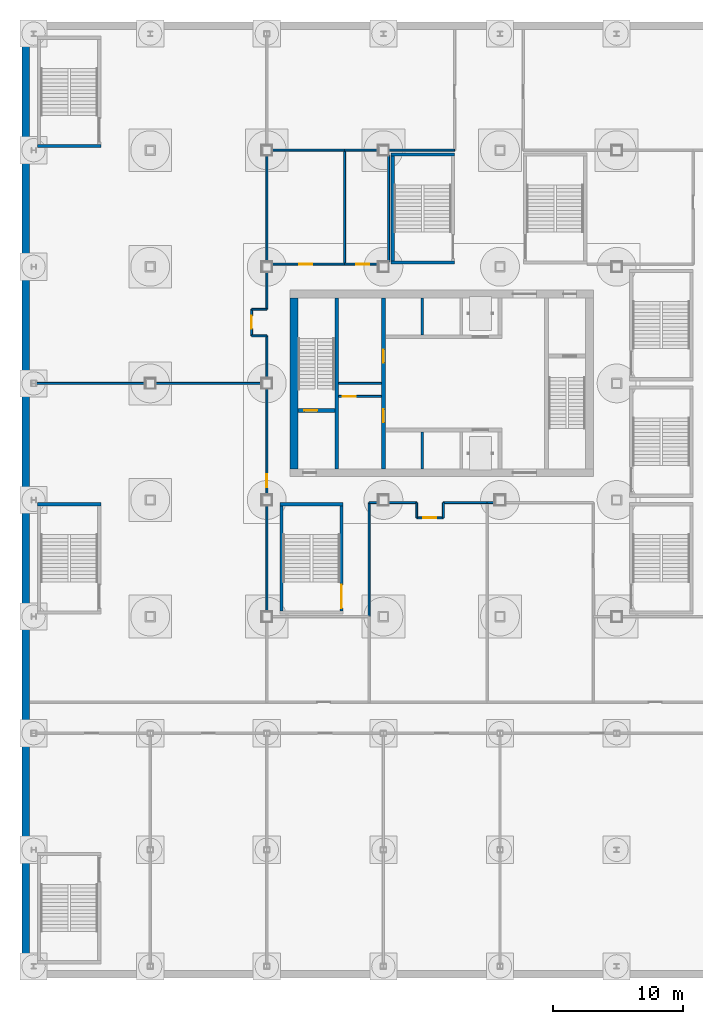
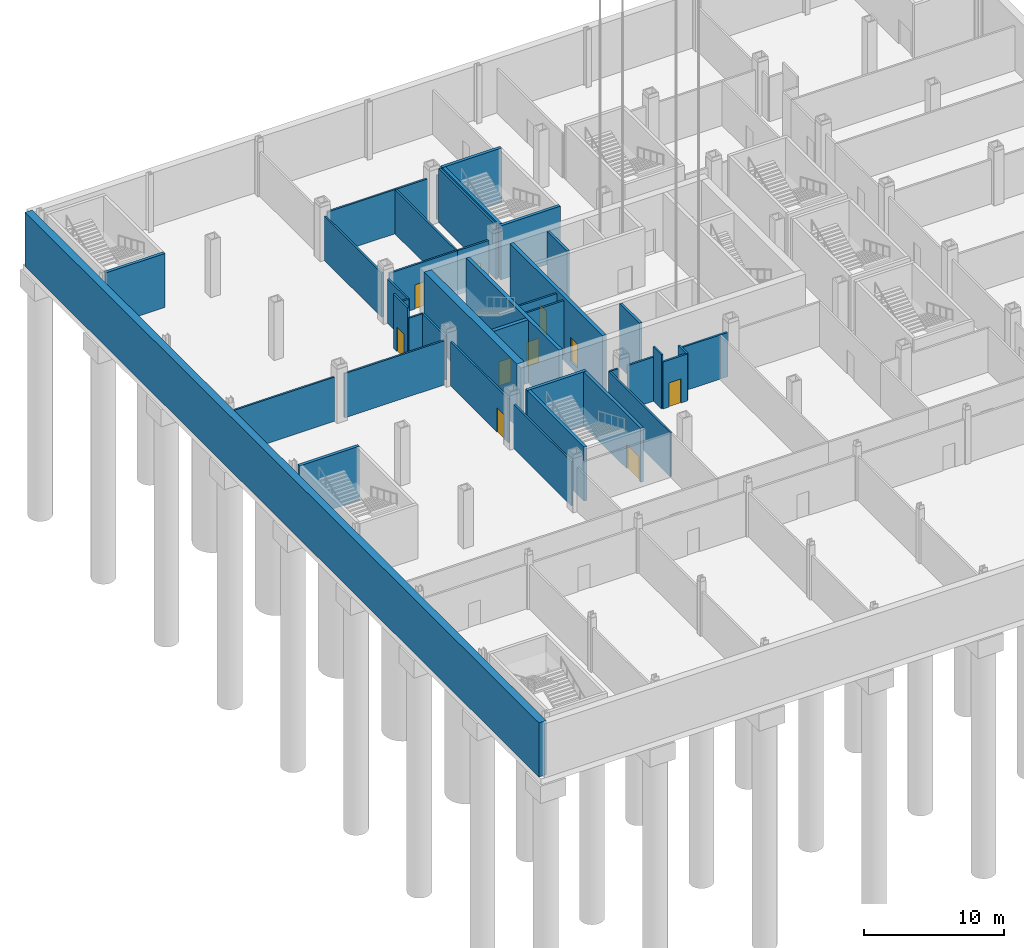
# One storey, part 9 of 28: 42 walls, 10 doors, 10 openings.
"""IFC4 building model written with IfcOpenShell, lengths in metres."""

from ifc_helpers import new_model, si_unit, direction, frame, frame_2d, origin, place, context, subcontext, project, spatial, rectangle, extrude, material, layer, layer_set, type_object, element, fill, save


model = new_model("IFC4")

# Units and contexts
model_context = context("Model", 3, precision=1e-05, world=origin(), true_north=direction((0.0, 1.0)))
body_context = subcontext(model_context, "Body", "Model", "MODEL_VIEW")
ifc_project = project(units=[si_unit("LENGTHUNIT", "METRE"), si_unit("AREAUNIT", "SQUARE_METRE"), si_unit("VOLUMEUNIT", "CUBIC_METRE"), si_unit("PLANEANGLEUNIT", "RADIAN"), si_unit("MASSUNIT", "GRAM", prefix="KILO")], contexts=[model_context])

# Site, building, storey
site_placement = place(None, origin())
site = spatial("IfcSite", under=ifc_project, at=site_placement, CompositionType="ELEMENT")
building_placement = place(site_placement, origin())
building = spatial("IfcBuilding", under=site, at=building_placement, Name="Loomwork Tower", CompositionType="ELEMENT")
storey_placement = place(building_placement, frame((0.0, 0.0, -10.5)))
storey = spatial("IfcBuildingStorey", under=building, at=storey_placement, Name="B2", CompositionType="ELEMENT", Elevation=-10.5)

# Walls
ifc_material_1 = material(Name="Concrete 6000 psi (41 MPa)", Category="concrete")
ifc_layer_1 = layer(ifc_material_1, 0.60009765625)
ifc_layer_set_1 = layer_set([ifc_layer_1], Name="Basement retaining wall 600")
wall_type_1 = type_object("IfcWallType", Name="Basement retaining wall 600", PredefinedType="SOLIDWALL", material=ifc_layer_set_1)
wall_1_placement = place(storey_placement, frame((-9.60009765625, 45.60009765625, 0.0), z_axis=(0.0, 0.0, 1.0), x_axis=(0.0, -1.0, 0.0)))
element("IfcWall", 1, at=wall_1_placement, inside=storey, type_object=wall_type_1, Name="Basement retaining wall W", PredefinedType="SOLIDWALL", context=body_context, shape_type="SweptSolid", body=[
    extrude(rectangle(XDim=73.2001953125, YDim=0.60009765625, at=frame_2d((36.60009765625, 0.0))), origin(), (0.0, 0.0, 1.0), 4.699951171875),
])
ifc_material_2 = material(Name="Concrete 14000 psi (97 MPa)", Category="concrete")
ifc_layer_2 = layer(ifc_material_2, 0.300048828125)
ifc_layer_set_2 = layer_set([ifc_layer_2], Name="Core shear wall 300")
wall_type_2 = type_object("IfcWallType", Name="Core shear wall 300", PredefinedType="SHEAR", material=ifc_layer_set_2)
wall_2_placement = place(storey_placement, frame((14.39990234375, 11.39990234375, -0.5), z_axis=(0.0, 0.0, 1.0), x_axis=(0.0, 1.0, 0.0)))
element("IfcWall", 2, at=wall_2_placement, inside=storey, type_object=wall_type_2, Name="Stair A east wall B2", PredefinedType="SHEAR", context=body_context, shape_type="SweptSolid", body=[
    extrude(rectangle(XDim=13.2001953125, YDim=0.300048828125, at=frame_2d((6.60009765625, 0.0))), origin(), (0.0, 0.0, 1.0), 5.5),
])

# Wall, opening, door
wall_3_placement = place(storey_placement, frame((11.39990234375, 15.89990234375, -0.5), z_axis=(0.0, 0.0, 1.0), x_axis=(1.0, 0.0, 0.0)))
wall_3 = element("IfcWall", 3, at=wall_3_placement, inside=storey, type_object=wall_type_2, Name="Stair A south wall B2", PredefinedType="SHEAR", context=body_context, shape_type="SweptSolid", body=[
    extrude(rectangle(XDim=2.85009765625, YDim=0.300048828125, at=frame_2d((1.425048828125, 0.0))), origin(), (0.0, 0.0, 1.0), 5.5),
])
opening_1_placement = place(wall_3_placement, frame((0.5, 0.0, 0.5)))
opening_1 = element("IfcOpeningElement", 4, at=opening_1_placement, cuts=wall_3, Name="Opening D4", PredefinedType="OPENING", context=body_context, shape_type="SweptSolid", body=[
    extrude(rectangle(XDim=1.0, YDim=2.10009765625, at=frame_2d((0.5, 1.050048828125))), frame((0.0, 0.159912109375, 0.0), z_axis=(0.0, -1.0, 0.0), x_axis=(1.0, 0.0, 0.0)), (0.0, 0.0, 1.0), 0.320068359375),
])
ifc_material_3 = material(Name="Hollow metal door and frame")
door_type_1 = type_object("IfcDoorType", Name="Stair door 1000", OperationType="SINGLE_SWING_RIGHT", PredefinedType="DOOR", material=ifc_material_3)
door_1_placement = place(opening_1_placement, origin())
door_1 = element("IfcDoor", 5, at=door_1_placement, inside=storey, type_object=door_type_1, Name="Stair A door", OperationType="SINGLE_SWING_LEFT", OverallHeight=2.10009765625, OverallWidth=1.0, PredefinedType="DOOR", context=body_context, shape_type="SweptSolid", body=[
    extrude(rectangle(XDim=1.0, YDim=2.10009765625, at=frame_2d((0.5, 1.050048828125))), frame((0.0, 0.02490234375, 0.0), z_axis=(0.0, -1.0, 0.0), x_axis=(1.0, 0.0, 0.0)), (0.0, 0.0, 1.0), 0.050048828125),
])
fill(opening_1, door_1)

# Wall, openings, doors
wall_4_placement = place(storey_placement, frame((18.0, 11.39990234375, -0.5), z_axis=(0.0, 0.0, 1.0), x_axis=(0.0, 1.0, 0.0)))
wall_4 = element("IfcWall", 6, at=wall_4_placement, inside=storey, type_object=wall_type_2, Name="Lobby west wall B2", PredefinedType="SHEAR", context=body_context, shape_type="SweptSolid", body=[
    extrude(rectangle(XDim=13.2001953125, YDim=0.300048828125, at=frame_2d((6.60009765625, 0.0))), origin(), (0.0, 0.0, 1.0), 5.5),
])
opening_2_placement = place(wall_4_placement, frame((3.60009765625, 0.0, 0.5)))
opening_2 = element("IfcOpeningElement", 7, at=opening_2_placement, cuts=wall_4, Name="Opening D5", PredefinedType="OPENING", context=body_context, shape_type="SweptSolid", body=[
    extrude(rectangle(XDim=1.0, YDim=2.10009765625, at=frame_2d((0.5, 1.050048828125))), frame((0.0, 0.159912109375, 0.0), z_axis=(0.0, -1.0, 0.0), x_axis=(1.0, 0.0, 0.0)), (0.0, 0.0, 1.0), 0.320068359375),
])
opening_3_placement = place(wall_4_placement, frame((8.199951171875, 0.0, 0.5)))
opening_3 = element("IfcOpeningElement", 8, at=opening_3_placement, cuts=wall_4, Name="Opening D5", PredefinedType="OPENING", context=body_context, shape_type="SweptSolid", body=[
    extrude(rectangle(XDim=1.0, YDim=2.10009765625, at=frame_2d((0.5, 1.050048828125))), frame((0.0, 0.159912109375, 0.0), z_axis=(0.0, -1.0, 0.0), x_axis=(1.0, 0.0, 0.0)), (0.0, 0.0, 1.0), 0.320068359375),
])
ifc_material_4 = material(Name="Hollow metal door and frame")
door_type_2 = type_object("IfcDoorType", Name="Service door 1000", OperationType="SINGLE_SWING_LEFT", PredefinedType="DOOR", material=ifc_material_4)
door_2_placement = place(opening_2_placement, origin())
door_2 = element("IfcDoor", 9, at=door_2_placement, inside=storey, type_object=door_type_2, Name="Back-of-house door south", OperationType="SINGLE_SWING_LEFT", OverallHeight=2.10009765625, OverallWidth=1.0, PredefinedType="DOOR", context=body_context, shape_type="SweptSolid", body=[
    extrude(rectangle(XDim=1.0, YDim=2.10009765625, at=frame_2d((0.5, 1.050048828125))), frame((0.0, 0.02490234375, 0.0), z_axis=(0.0, -1.0, 0.0), x_axis=(1.0, 0.0, 0.0)), (0.0, 0.0, 1.0), 0.050048828125),
])
fill(opening_2, door_2)
door_3_placement = place(opening_3_placement, origin())
door_3 = element("IfcDoor", 10, at=door_3_placement, inside=storey, type_object=door_type_2, Name="Back-of-house door north", OperationType="SINGLE_SWING_RIGHT", OverallHeight=2.10009765625, OverallWidth=1.0, PredefinedType="DOOR", context=body_context, shape_type="SweptSolid", body=[
    extrude(rectangle(XDim=1.0, YDim=2.10009765625, at=frame_2d((0.5, 1.050048828125))), frame((0.0, 0.02490234375, 0.0), z_axis=(0.0, -1.0, 0.0), x_axis=(1.0, 0.0, 0.0)), (0.0, 0.0, 1.0), 0.050048828125),
])
fill(opening_3, door_3)

# Walls
ifc_material_5 = material(Name="Concrete 14000 psi (97 MPa)", Category="concrete")
ifc_layer_3 = layer(ifc_material_5, 0.60009765625)
ifc_layer_set_3 = layer_set([ifc_layer_3], Name="Core shear wall 600")
wall_type_3 = type_object("IfcWallType", Name="Core shear wall 600", PredefinedType="SHEAR", material=ifc_layer_set_3)
wall_5_placement = place(storey_placement, frame((11.10009765625, 11.39990234375, -0.5), z_axis=(0.0, 0.0, 1.0), x_axis=(0.0, 1.0, 0.0)))
element("IfcWall", 11, at=wall_5_placement, inside=storey, type_object=wall_type_3, Name="Core wall west B2", PredefinedType="SHEAR", context=body_context, shape_type="SweptSolid", body=[
    extrude(rectangle(XDim=13.2001953125, YDim=0.60009765625, at=frame_2d((6.60009765625, 0.0))), origin(), (0.0, 0.0, 1.0), 5.5),
])
ifc_material_6 = material(Name="Concrete 14000 psi (97 MPa)", Category="concrete")
ifc_layer_4 = layer(ifc_material_6, 0.199951171875)
ifc_layer_set_4 = layer_set([ifc_layer_4], Name="Lift shaft wall 200")
wall_type_4 = type_object("IfcWallType", Name="Lift shaft wall 200", PredefinedType="SHEAR", material=ifc_layer_set_4)
for number, where, z_axis, x_axis, name in (
    (12, (21.0, 11.39990234375, -0.5), (0.0, 0.0, 1.0), (0.0, 1.0, 0.0), "Lift shaft separation wall south 1 B2"),
    (13, (21.0, 21.75, -0.5), (0.0, 0.0, 1.0), (0.0, 1.0, 0.0), "Lift shaft separation wall north 1 B2"),
):
    element("IfcWall", number, at=place(storey_placement, frame(where, z_axis=z_axis, x_axis=x_axis)), inside=storey, type_object=wall_type_4, Name=name, PredefinedType="SHEAR", context=body_context, shape_type="SweptSolid", body=[
        extrude(rectangle(XDim=2.85009765625, YDim=0.199951171875, at=frame_2d((1.425048828125, 0.0))), origin(), (0.0, 0.0, 1.0), 5.5),
    ])
ifc_material_7 = material(Name="Gypsum board on steel studs, one-hour", Category="steel")
ifc_layer_5 = layer(ifc_material_7, 0.14990234375)
ifc_layer_set_5 = layer_set([ifc_layer_5], Name="Partition 150")
wall_type_5 = type_object("IfcWallType", Name="Partition 150", PredefinedType="PARTITIONING", material=ifc_layer_set_5)
wall_6_placement = place(storey_placement, frame((-8.800537109375, 18.0, 0.0), z_axis=(0.0, 0.0, 1.0), x_axis=(1.0, 0.0, 0.0)))
element("IfcWall", 14, at=wall_6_placement, inside=storey, type_object=wall_type_5, Name="Partition B2 3.1", PredefinedType="PARTITIONING", context=body_context, shape_type="SweptSolid", body=[
    extrude(rectangle(XDim=8.400634765625, YDim=0.14990234375, at=frame_2d((4.2001953125, 0.0))), origin(), (0.0, 0.0, 1.0), 3.841552734375),
])
wall_7_placement = place(storey_placement, frame((0.39990234375, 18.0, 0.0), z_axis=(0.0, 0.0, 1.0), x_axis=(1.0, 0.0, 0.0)))
element("IfcWall", 15, at=wall_7_placement, inside=storey, type_object=wall_type_5, Name="Partition B2 3.2", PredefinedType="PARTITIONING", context=body_context, shape_type="SweptSolid", body=[
    extrude(rectangle(XDim=8.2001953125, YDim=0.14990234375, at=frame_2d((4.10009765625, 0.0))), origin(), (0.0, 0.0, 1.0), 3.841552734375),
])

# Wall, opening, door
wall_8_placement = place(storey_placement, frame((9.0, 17.60009765625, 0.0), z_axis=(0.0, 0.0, 1.0), x_axis=(0.0, -1.0, 0.0)))
wall_8 = element("IfcWall", 16, at=wall_8_placement, inside=storey, type_object=wall_type_5, Name="Partition B2 11.1", PredefinedType="PARTITIONING", context=body_context, shape_type="SweptSolid", body=[
    extrude(rectangle(XDim=8.2001953125, YDim=0.14990234375, at=frame_2d((4.10009765625, 0.0))), origin(), (0.0, 0.0, 1.0), 3.841552734375),
])
opening_4_placement = place(wall_8_placement, frame((6.60009765625, 0.0, 0.0)))
opening_4 = element("IfcOpeningElement", 17, at=opening_4_placement, cuts=wall_8, Name="Opening D15", PredefinedType="OPENING", context=body_context, shape_type="SweptSolid", body=[
    extrude(rectangle(XDim=1.0, YDim=2.10009765625, at=frame_2d((0.5, 1.050048828125))), frame((0.0, 0.0849609375, 0.0), z_axis=(0.0, -1.0, 0.0), x_axis=(1.0, 0.0, 0.0)), (0.0, 0.0, 1.0), 0.169921875),
])
ifc_material_8 = material(Name="Hollow metal door and frame")
door_type_3 = type_object("IfcDoorType", Name="Fire-rated room door 1000", OperationType="SINGLE_SWING_LEFT", PredefinedType="DOOR", material=ifc_material_8)
door_4_placement = place(opening_4_placement, frame((1.0, 0.0, 0.0), z_axis=(0.0, 0.0, 1.0), x_axis=(-1.0, 0.0, 0.0)))
door_4 = element("IfcDoor", 18, at=door_4_placement, inside=storey, type_object=door_type_3, Name="Hotel laundry door", OperationType="SINGLE_SWING_LEFT", OverallHeight=2.10009765625, OverallWidth=1.0, PredefinedType="DOOR", context=body_context, shape_type="SweptSolid", body=[
    extrude(rectangle(XDim=1.0, YDim=2.10009765625, at=frame_2d((0.5, 1.050048828125))), frame((0.0, 0.02490234375, 0.0), z_axis=(0.0, -1.0, 0.0), x_axis=(1.0, 0.0, 0.0)), (0.0, 0.0, 1.0), 0.050048828125),
])
fill(opening_4, door_4)

# Walls
wall_9_placement = place(storey_placement, frame((9.0, 8.60009765625, 0.0), z_axis=(0.0, 0.0, 1.0), x_axis=(0.0, -1.0, 0.0)))
element("IfcWall", 19, at=wall_9_placement, inside=storey, type_object=wall_type_5, Name="Partition B2 11.2", PredefinedType="PARTITIONING", context=body_context, shape_type="SweptSolid", body=[
    extrude(rectangle(XDim=8.2001953125, YDim=0.14990234375, at=frame_2d((4.10009765625, 0.0))), origin(), (0.0, 0.0, 1.0), 3.841552734375),
])
wall_10_placement = place(storey_placement, frame((9.0, 26.60009765625, 0.0), z_axis=(0.0, 0.0, 1.0), x_axis=(0.0, -1.0, 0.0)))
element("IfcWall", 20, at=wall_10_placement, inside=storey, type_object=wall_type_5, Name="Partition B2 12.1", PredefinedType="PARTITIONING", context=body_context, shape_type="SweptSolid", body=[
    extrude(rectangle(XDim=2.875, YDim=0.14990234375, at=frame_2d((1.4375, 0.0))), origin(), (0.0, 0.0, 1.0), 3.841552734375),
])

# Wall, opening, door
wall_11_placement = place(storey_placement, frame((15.0, 27.199951171875, 0.0), z_axis=(0.0, 0.0, 1.0), x_axis=(-1.0, 0.0, 0.0)))
wall_11 = element("IfcWall", 21, at=wall_11_placement, inside=storey, type_object=wall_type_5, Name="Partition B2 13.1", PredefinedType="PARTITIONING", context=body_context, shape_type="SweptSolid", body=[
    extrude(rectangle(XDim=5.60009765625, YDim=0.14990234375, at=frame_2d((2.800048828125, 0.0))), origin(), (0.0, 0.0, 1.0), 3.841552734375),
])
opening_5_placement = place(wall_11_placement, frame((2.5, 0.0, 0.0)))
opening_5 = element("IfcOpeningElement", 22, at=opening_5_placement, cuts=wall_11, Name="Opening D8", PredefinedType="OPENING", context=body_context, shape_type="SweptSolid", body=[
    extrude(rectangle(XDim=1.0, YDim=2.10009765625, at=frame_2d((0.5, 1.050048828125))), frame((0.0, 0.0849609375, 0.0), z_axis=(0.0, -1.0, 0.0), x_axis=(1.0, 0.0, 0.0)), (0.0, 0.0, 1.0), 0.169921875),
])
ifc_material_9 = material(Name="Hollow metal door and frame")
door_type_4 = type_object("IfcDoorType", Name="WC door 1000", OperationType="SINGLE_SWING_LEFT", PredefinedType="DOOR", material=ifc_material_9)
door_5_placement = place(opening_5_placement, frame((1.0, 0.0, 0.0), z_axis=(0.0, 0.0, 1.0), x_axis=(-1.0, 0.0, 0.0)))
door_5 = element("IfcDoor", 23, at=door_5_placement, inside=storey, type_object=door_type_4, Name="Staff WC door", OperationType="SINGLE_SWING_RIGHT", OverallHeight=2.10009765625, OverallWidth=1.0, PredefinedType="DOOR", context=body_context, shape_type="SweptSolid", body=[
    extrude(rectangle(XDim=1.0, YDim=2.10009765625, at=frame_2d((0.5, 1.050048828125))), frame((0.0, 0.02490234375, 0.0), z_axis=(0.0, -1.0, 0.0), x_axis=(1.0, 0.0, 0.0)), (0.0, 0.0, 1.0), 0.050048828125),
])
fill(opening_5, door_5)

# Walls
wall_12_placement = place(storey_placement, frame((9.0, 35.60009765625, 0.0), z_axis=(0.0, 0.0, 1.0), x_axis=(0.0, -1.0, 0.0)))
element("IfcWall", 24, at=wall_12_placement, inside=storey, type_object=wall_type_5, Name="Partition B2 14.1", PredefinedType="PARTITIONING", context=body_context, shape_type="SweptSolid", body=[
    extrude(rectangle(XDim=8.2001953125, YDim=0.14990234375, at=frame_2d((4.10009765625, 0.0))), origin(), (0.0, 0.0, 1.0), 3.841552734375),
])
wall_13_placement = place(storey_placement, frame((9.39990234375, 36.0, 0.0), z_axis=(0.0, 0.0, 1.0), x_axis=(1.0, 0.0, 0.0)))
element("IfcWall", 25, at=wall_13_placement, inside=storey, type_object=wall_type_5, Name="Partition B2 15.1", PredefinedType="PARTITIONING", context=body_context, shape_type="SweptSolid", body=[
    extrude(rectangle(XDim=5.60009765625, YDim=0.14990234375, at=frame_2d((2.800048828125, 0.0))), origin(), (0.0, 0.0, 1.0), 3.841552734375),
])

# Wall, opening, door
wall_14_placement = place(storey_placement, frame((17.60009765625, 27.199951171875, 0.0), z_axis=(0.0, 0.0, 1.0), x_axis=(-1.0, 0.0, 0.0)))
wall_14 = element("IfcWall", 26, at=wall_14_placement, inside=storey, type_object=wall_type_5, Name="Partition B2 17.1", PredefinedType="PARTITIONING", context=body_context, shape_type="SweptSolid", body=[
    extrude(rectangle(XDim=2.60009765625, YDim=0.14990234375, at=frame_2d((1.300048828125, 0.0))), origin(), (0.0, 0.0, 1.0), 3.841552734375),
])
opening_6_placement = place(wall_14_placement, frame((0.699951171875, 0.0, 0.0)))
opening_6 = element("IfcOpeningElement", 27, at=opening_6_placement, cuts=wall_14, Name="Opening D8", PredefinedType="OPENING", context=body_context, shape_type="SweptSolid", body=[
    extrude(rectangle(XDim=1.0, YDim=2.10009765625, at=frame_2d((0.5, 1.050048828125))), frame((0.0, 0.0849609375, 0.0), z_axis=(0.0, -1.0, 0.0), x_axis=(1.0, 0.0, 0.0)), (0.0, 0.0, 1.0), 0.169921875),
])
door_6_placement = place(opening_6_placement, frame((1.0, 0.0, 0.0), z_axis=(0.0, 0.0, 1.0), x_axis=(-1.0, 0.0, 0.0)))
door_6 = element("IfcDoor", 28, at=door_6_placement, inside=storey, type_object=door_type_4, Name="Accessible WC door", OperationType="SINGLE_SWING_LEFT", OverallHeight=2.10009765625, OverallWidth=1.0, PredefinedType="DOOR", context=body_context, shape_type="SweptSolid", body=[
    extrude(rectangle(XDim=1.0, YDim=2.10009765625, at=frame_2d((0.5, 1.050048828125))), frame((0.0, 0.02490234375, 0.0), z_axis=(0.0, -1.0, 0.0), x_axis=(1.0, 0.0, 0.0)), (0.0, 0.0, 1.0), 0.050048828125),
])
fill(opening_6, door_6)

# Walls
wall_15_placement = place(storey_placement, frame((15.0, 36.0, 0.0), z_axis=(0.0, 0.0, 1.0), x_axis=(0.0, -1.0, 0.0)))
element("IfcWall", 29, at=wall_15_placement, inside=storey, type_object=wall_type_5, Name="Partition B2 18.1", PredefinedType="PARTITIONING", context=body_context, shape_type="SweptSolid", body=[
    extrude(rectangle(XDim=8.800048828125, YDim=0.14990234375, at=frame_2d((4.39990234375, 0.0))), origin(), (0.0, 0.0, 1.0), 3.841064453125),
])
wall_16_placement = place(storey_placement, frame((15.0, 36.0, 0.0), z_axis=(0.0, 0.0, 1.0), x_axis=(1.0, 0.0, 0.0)))
element("IfcWall", 30, at=wall_16_placement, inside=storey, type_object=wall_type_5, Name="Partition B2 19.1", PredefinedType="PARTITIONING", context=body_context, shape_type="SweptSolid", body=[
    extrude(rectangle(XDim=2.60009765625, YDim=0.14990234375, at=frame_2d((1.300048828125, 0.0))), origin(), (0.0, 0.0, 1.0), 3.841552734375),
])
wall_17_placement = place(storey_placement, frame((16.89990234375, 0.0, 0.0), z_axis=(0.0, 0.0, 1.0), x_axis=(0.0, 1.0, 0.0)))
element("IfcWall", 31, at=wall_17_placement, inside=storey, type_object=wall_type_5, Name="Partition B2 22.1", PredefinedType="PARTITIONING", context=body_context, shape_type="SweptSolid", body=[
    extrude(rectangle(XDim=8.800048828125, YDim=0.14990234375, at=frame_2d((4.39990234375, 0.0))), origin(), (0.0, 0.0, 1.0), 3.841064453125),
])
wall_18_placement = place(storey_placement, frame((16.89990234375, 8.800048828125, 0.0), z_axis=(0.0, 0.0, 1.0), x_axis=(1.0, 0.0, 0.0)))
element("IfcWall", 32, at=wall_18_placement, inside=storey, type_object=wall_type_5, Name="Partition B2 23.1", PredefinedType="PARTITIONING", context=body_context, shape_type="SweptSolid", body=[
    extrude(rectangle(XDim=0.7001953125, YDim=0.14990234375, at=frame_2d((0.35009765625, 0.0))), origin(), (0.0, 0.0, 1.0), 3.841552734375),
])
wall_19_placement = place(storey_placement, frame((18.39990234375, 8.800048828125, 0.0), z_axis=(0.0, 0.0, 1.0), x_axis=(1.0, 0.0, 0.0)))
element("IfcWall", 33, at=wall_19_placement, inside=storey, type_object=wall_type_5, Name="Partition B2 23.2", PredefinedType="PARTITIONING", context=body_context, shape_type="SweptSolid", body=[
    extrude(rectangle(XDim=2.175048828125, YDim=0.14990234375, at=frame_2d((1.08740234375, 0.0))), origin(), (0.0, 0.0, 1.0), 3.841552734375),
])
wall_20_placement = place(storey_placement, frame((18.39990234375, 35.60009765625, 0.0), z_axis=(0.0, 0.0, 1.0), x_axis=(0.0, -1.0, 0.0)))
element("IfcWall", 34, at=wall_20_placement, inside=storey, type_object=wall_type_5, Name="Partition B2 26.1", PredefinedType="PARTITIONING", context=body_context, shape_type="SweptSolid", body=[
    extrude(rectangle(XDim=8.2001953125, YDim=0.14990234375, at=frame_2d((4.10009765625, 0.0))), origin(), (0.0, 0.0, 1.0), 4.699951171875),
])
wall_21_placement = place(storey_placement, frame((23.5, 36.0, 0.0), z_axis=(0.0, 0.0, 1.0), x_axis=(-1.0, 0.0, 0.0)))
element("IfcWall", 35, at=wall_21_placement, inside=storey, type_object=wall_type_5, Name="Partition B2 27.1", PredefinedType="PARTITIONING", context=body_context, shape_type="SweptSolid", body=[
    extrude(rectangle(XDim=5.10009765625, YDim=0.14990234375, at=frame_2d((2.550048828125, 0.0))), origin(), (0.0, 0.0, 1.0), 3.841552734375),
])
wall_22_placement = place(storey_placement, frame((26.0, 8.800048828125, 0.0), z_axis=(0.0, 0.0, 1.0), x_axis=(1.0, 0.0, 0.0)))
element("IfcWall", 36, at=wall_22_placement, inside=storey, type_object=wall_type_5, Name="Partition B2 31.1", PredefinedType="PARTITIONING", context=body_context, shape_type="SweptSolid", body=[
    extrude(rectangle(XDim=0.60009765625, YDim=0.14990234375, at=frame_2d((0.300048828125, 0.0))), origin(), (0.0, 0.0, 1.0), 3.841552734375),
])
wall_23_placement = place(storey_placement, frame((9.0, 21.675048828125, 0.0), z_axis=(0.0, 0.0, 1.0), x_axis=(0.0, -1.0, 0.0)))
element("IfcWall", 37, at=wall_23_placement, inside=storey, type_object=wall_type_5, Name="Partition B2 12.1", PredefinedType="PARTITIONING", context=body_context, shape_type="SweptSolid", body=[
    extrude(rectangle(XDim=3.275146484375, YDim=0.14990234375, at=frame_2d((1.6376953125, 0.0))), origin(), (0.0, 0.0, 1.0), 3.841552734375),
])
for number, where, z_axis, x_axis, name in (
    (38, (9.0, 23.72509765625, 0.0), (0.0, 0.0, 1.0), (-1.0, 0.0, 0.0), "Staff locker room alcove wall"),
    (39, (9.0, 21.675048828125, 0.0), (0.0, 0.0, 1.0), (-1.0, 0.0, 0.0), "Staff locker room alcove wall"),
):
    element("IfcWall", number, at=place(storey_placement, frame(where, z_axis=z_axis, x_axis=x_axis)), inside=storey, type_object=wall_type_5, Name=name, PredefinedType="PARTITIONING", context=body_context, shape_type="SweptSolid", body=[
        extrude(rectangle(XDim=1.175048828125, YDim=0.14990234375, at=frame_2d((0.58740234375, 0.0))), origin(), (0.0, 0.0, 1.0), 3.841064453125),
    ])

# Wall, opening, door
wall_24_placement = place(storey_placement, frame((7.824951171875, 23.72509765625, 0.0), z_axis=(0.0, 0.0, 1.0), x_axis=(0.0, -1.0, 0.0)))
wall_24 = element("IfcWall", 40, at=wall_24_placement, inside=storey, type_object=wall_type_5, Name="Staff locker room alcove wall", PredefinedType="PARTITIONING", context=body_context, shape_type="SweptSolid", body=[
    extrude(rectangle(XDim=2.050048828125, YDim=0.14990234375, at=frame_2d((1.02490234375, 0.0))), origin(), (0.0, 0.0, 1.0), 4.699951171875),
])
opening_7_placement = place(wall_24_placement, frame((0.5, 0.0, 0.0)))
opening_7 = element("IfcOpeningElement", 41, at=opening_7_placement, cuts=wall_24, Name="Opening D7", PredefinedType="OPENING", context=body_context, shape_type="SweptSolid", body=[
    extrude(rectangle(XDim=1.0, YDim=2.10009765625, at=frame_2d((0.5, 1.050048828125))), frame((0.0, 0.0849609375, 0.0), z_axis=(0.0, -1.0, 0.0), x_axis=(1.0, 0.0, 0.0)), (0.0, 0.0, 1.0), 0.169921875),
])
ifc_material_10 = material(Name="Hollow metal door and frame")
door_type_5 = type_object("IfcDoorType", Name="Room door 1000", OperationType="SINGLE_SWING_LEFT", PredefinedType="DOOR", material=ifc_material_10)
door_7_placement = place(opening_7_placement, origin())
door_7 = element("IfcDoor", 42, at=door_7_placement, inside=storey, type_object=door_type_5, Name="Staff locker room door", OperationType="SINGLE_SWING_LEFT", OverallHeight=2.10009765625, OverallWidth=1.0, PredefinedType="DOOR", context=body_context, shape_type="SweptSolid", body=[
    extrude(rectangle(XDim=1.0, YDim=2.10009765625, at=frame_2d((0.5, 1.050048828125))), frame((0.0, 0.02490234375, 0.0), z_axis=(0.0, -1.0, 0.0), x_axis=(1.0, 0.0, 0.0)), (0.0, 0.0, 1.0), 0.050048828125),
])
fill(opening_7, door_7)

# Walls
wall_25_placement = place(storey_placement, frame((22.625, 8.800048828125, 0.0), z_axis=(0.0, 0.0, 1.0), x_axis=(1.0, 0.0, 0.0)))
element("IfcWall", 43, at=wall_25_placement, inside=storey, type_object=wall_type_5, Name="Partition B2 23.2", PredefinedType="PARTITIONING", context=body_context, shape_type="SweptSolid", body=[
    extrude(rectangle(XDim=3.375, YDim=0.14990234375, at=frame_2d((1.6875, 0.0))), origin(), (0.0, 0.0, 1.0), 3.841552734375),
])
wall_26_placement = place(storey_placement, frame((20.574951171875, 8.800048828125, 0.0), z_axis=(0.0, 0.0, 1.0), x_axis=(0.0, -1.0, 0.0)))
element("IfcWall", 44, at=wall_26_placement, inside=storey, type_object=wall_type_5, Name="Staff canteen alcove wall", PredefinedType="PARTITIONING", context=body_context, shape_type="SweptSolid", body=[
    extrude(rectangle(XDim=1.175048828125, YDim=0.14990234375, at=frame_2d((0.58740234375, 0.0))), origin(), (0.0, 0.0, 1.0), 4.699951171875),
])
wall_27_placement = place(storey_placement, frame((22.625, 8.800048828125, 0.0), z_axis=(0.0, 0.0, 1.0), x_axis=(0.0, -1.0, 0.0)))
element("IfcWall", 45, at=wall_27_placement, inside=storey, type_object=wall_type_5, Name="Staff canteen alcove wall", PredefinedType="PARTITIONING", context=body_context, shape_type="SweptSolid", body=[
    extrude(rectangle(XDim=1.175048828125, YDim=0.14990234375, at=frame_2d((0.58740234375, 0.0))), origin(), (0.0, 0.0, 1.0), 4.087890625),
])

# Wall, opening, door
wall_28_placement = place(storey_placement, frame((20.574951171875, 7.625, 0.0), z_axis=(0.0, 0.0, 1.0), x_axis=(1.0, 0.0, 0.0)))
wall_28 = element("IfcWall", 46, at=wall_28_placement, inside=storey, type_object=wall_type_5, Name="Staff canteen alcove wall", PredefinedType="PARTITIONING", context=body_context, shape_type="SweptSolid", body=[
    extrude(rectangle(XDim=2.050048828125, YDim=0.14990234375, at=frame_2d((1.02490234375, 0.0))), origin(), (0.0, 0.0, 1.0), 4.0869140625),
])
opening_8_placement = place(wall_28_placement, frame((0.5, 0.0, 0.0)))
opening_8 = element("IfcOpeningElement", 47, at=opening_8_placement, cuts=wall_28, Name="Opening D7", PredefinedType="OPENING", context=body_context, shape_type="SweptSolid", body=[
    extrude(rectangle(XDim=1.0, YDim=2.10009765625, at=frame_2d((0.5, 1.050048828125))), frame((0.0, 0.0849609375, 0.0), z_axis=(0.0, -1.0, 0.0), x_axis=(1.0, 0.0, 0.0)), (0.0, 0.0, 1.0), 0.169921875),
])
door_8_placement = place(opening_8_placement, origin())
door_8 = element("IfcDoor", 48, at=door_8_placement, inside=storey, type_object=door_type_5, Name="Staff canteen door", OperationType="SINGLE_SWING_LEFT", OverallHeight=2.10009765625, OverallWidth=1.0, PredefinedType="DOOR", context=body_context, shape_type="SweptSolid", body=[
    extrude(rectangle(XDim=1.0, YDim=2.10009765625, at=frame_2d((0.5, 1.050048828125))), frame((0.0, 0.02490234375, 0.0), z_axis=(0.0, -1.0, 0.0), x_axis=(1.0, 0.0, 0.0)), (0.0, 0.0, 1.0), 0.050048828125),
])
fill(opening_8, door_8)

# Wall
ifc_material_11 = material(Name="Gypsum board on steel studs", Category="steel")
ifc_layer_6 = layer(ifc_material_11, 0.14990234375)
ifc_layer_set_6 = layer_set([ifc_layer_6], Name="Partition 150 two-hour")
wall_type_6 = type_object("IfcWallType", Name="Partition 150 two-hour", PredefinedType="PARTITIONING", material=ifc_layer_set_6)
wall_29_placement = place(storey_placement, frame((14.550048828125, 18.0, 0.0), z_axis=(0.0, 0.0, 1.0), x_axis=(1.0, 0.0, 0.0)))
element("IfcWall", 49, at=wall_29_placement, inside=storey, type_object=wall_type_6, Name="Back-of-house dividing wall B2", PredefinedType="PARTITIONING", context=body_context, shape_type="SweptSolid", body=[
    extrude(rectangle(XDim=3.300048828125, YDim=0.14990234375, at=frame_2d((1.64990234375, 0.0))), origin(), (0.0, 0.0, 1.0), 4.699951171875),
])

# Wall, opening, door
ifc_material_12 = material(Name="Gypsum board on steel studs, one-hour", Category="steel")
ifc_layer_7 = layer(ifc_material_12, 0.14990234375)
ifc_layer_set_7 = layer_set([ifc_layer_7], Name="Service partition 150")
wall_type_7 = type_object("IfcWallType", Name="Service partition 150", PredefinedType="PARTITIONING", material=ifc_layer_set_7)
wall_30_placement = place(storey_placement, frame((14.550048828125, 17.0, 0.0), z_axis=(0.0, 0.0, 1.0), x_axis=(1.0, 0.0, 0.0)))
wall_30 = element("IfcWall", 50, at=wall_30_placement, inside=storey, type_object=wall_type_7, Name="Riser enclosure B2", PredefinedType="PARTITIONING", context=body_context, shape_type="SweptSolid", body=[
    extrude(rectangle(XDim=3.300048828125, YDim=0.14990234375, at=frame_2d((1.64990234375, 0.0))), origin(), (0.0, 0.0, 1.0), 4.699951171875),
])
opening_9_placement = place(wall_30_placement, frame((0.300048828125, 0.0, 0.0)))
opening_9 = element("IfcOpeningElement", 51, at=opening_9_placement, cuts=wall_30, Name="Opening D18", PredefinedType="OPENING", context=body_context, shape_type="SweptSolid", body=[
    extrude(rectangle(XDim=1.0, YDim=2.10009765625, at=frame_2d((0.5, 1.050048828125))), frame((0.0, 0.0849609375, 0.0), z_axis=(0.0, -1.0, 0.0), x_axis=(1.0, 0.0, 0.0)), (0.0, 0.0, 1.0), 0.169921875),
])
ifc_material_13 = material(Name="Hollow metal door and frame")
door_type_6 = type_object("IfcDoorType", Name="Ninety-minute service door 1000", OperationType="SINGLE_SWING_LEFT", PredefinedType="DOOR", material=ifc_material_13)
door_9_placement = place(opening_9_placement, frame((1.0, 0.0, 0.0), z_axis=(0.0, 0.0, 1.0), x_axis=(-1.0, 0.0, 0.0)))
door_9 = element("IfcDoor", 52, at=door_9_placement, inside=storey, type_object=door_type_6, Name="Riser access door", OperationType="SINGLE_SWING_RIGHT", OverallHeight=2.10009765625, OverallWidth=1.0, PredefinedType="DOOR", context=body_context, shape_type="SweptSolid", body=[
    extrude(rectangle(XDim=1.0, YDim=2.10009765625, at=frame_2d((0.5, 1.050048828125))), frame((0.0, 0.02490234375, 0.0), z_axis=(0.0, -1.0, 0.0), x_axis=(1.0, 0.0, 0.0)), (0.0, 0.0, 1.0), 0.050048828125),
])
fill(opening_9, door_9)

# Walls
ifc_material_14 = material(Name="Concrete masonry, two-hour", Category="masonry")
ifc_layer_8 = layer(ifc_material_14, 0.25)
ifc_layer_set_8 = layer_set([ifc_layer_8], Name="Stair enclosure wall 250")
wall_type_8 = type_object("IfcWallType", Name="Stair enclosure wall 250", PredefinedType="SOLIDWALL", material=ifc_layer_set_8)
for number, where, z_axis, x_axis, name in (
    (53, (-8.699951171875, 36.324951171875, 0.0), (0.0, 0.0, 1.0), (1.0, 0.0, 0.0), "Stair PS3 enclosure wall S B2"),
    (54, (-8.699951171875, 8.675048828125, 0.0), (0.0, 0.0, 1.0), (1.0, 0.0, 0.0), "Stair PS5 enclosure wall N B2"),
    (55, (18.60009765625, 27.324951171875, 0.0), (0.0, 0.0, 1.0), (1.0, 0.0, 0.0), "Stair PS10 enclosure wall S B2"),
    (56, (18.60009765625, 35.675048828125, 0.0), (0.0, 0.0, 1.0), (1.0, 0.0, 0.0), "Stair PS10 enclosure wall N B2"),
):
    element("IfcWall", number, at=place(storey_placement, frame(where, z_axis=z_axis, x_axis=x_axis)), inside=storey, type_object=wall_type_8, Name=name, PredefinedType="SOLIDWALL", context=body_context, shape_type="SweptSolid", body=[
        extrude(rectangle(XDim=4.89990234375, YDim=0.25, at=frame_2d((2.449951171875, 0.0))), origin(), (0.0, 0.0, 1.0), 4.699951171875),
    ])
wall_31_placement = place(storey_placement, frame((18.72509765625, 27.449951171875, 0.0), z_axis=(0.0, 0.0, 1.0), x_axis=(0.0, 1.0, 0.0)))
element("IfcWall", 57, at=wall_31_placement, inside=storey, type_object=wall_type_8, Name="Stair PS10 enclosure wall W B2", PredefinedType="SOLIDWALL", context=body_context, shape_type="SweptSolid", body=[
    extrude(rectangle(XDim=8.10009765625, YDim=0.25, at=frame_2d((4.050048828125, 0.0))), origin(), (0.0, 0.0, 1.0), 4.699951171875),
])
wall_32_placement = place(storey_placement, frame((10.0, 8.675048828125, 0.0), z_axis=(0.0, 0.0, 1.0), x_axis=(1.0, 0.0, 0.0)))
element("IfcWall", 58, at=wall_32_placement, inside=storey, type_object=wall_type_8, Name="Stair PS12 enclosure wall N B2", PredefinedType="SOLIDWALL", context=body_context, shape_type="SweptSolid", body=[
    extrude(rectangle(XDim=4.89990234375, YDim=0.25, at=frame_2d((2.449951171875, 0.0))), origin(), (0.0, 0.0, 1.0), 4.699951171875),
])
wall_33_placement = place(storey_placement, frame((10.125, 0.449951171875, 0.0), z_axis=(0.0, 0.0, 1.0), x_axis=(0.0, 1.0, 0.0)))
element("IfcWall", 59, at=wall_33_placement, inside=storey, type_object=wall_type_8, Name="Stair PS12 enclosure wall W B2", PredefinedType="SOLIDWALL", context=body_context, shape_type="SweptSolid", body=[
    extrude(rectangle(XDim=8.10009765625, YDim=0.25, at=frame_2d((4.050048828125, 0.0))), origin(), (0.0, 0.0, 1.0), 4.699951171875),
])

# Wall, opening, door
wall_34_placement = place(storey_placement, frame((14.77490234375, 0.449951171875, 0.0), z_axis=(0.0, 0.0, 1.0), x_axis=(0.0, 1.0, 0.0)))
wall_34 = element("IfcWall", 60, at=wall_34_placement, inside=storey, type_object=wall_type_8, Name="Stair PS12 enclosure wall E B2", PredefinedType="SOLIDWALL", context=body_context, shape_type="SweptSolid", body=[
    extrude(rectangle(XDim=8.10009765625, YDim=0.25, at=frame_2d((4.050048828125, 0.0))), origin(), (0.0, 0.0, 1.0), 4.699951171875),
])
opening_10_placement = place(wall_34_placement, frame((0.199951171875, 0.0, 0.0)))
opening_10 = element("IfcOpeningElement", 61, at=opening_10_placement, cuts=wall_34, Name="Opening D14", PredefinedType="OPENING", context=body_context, shape_type="SweptSolid", body=[
    extrude(rectangle(XDim=1.800048828125, YDim=2.10009765625, at=frame_2d((0.89990234375, 1.050048828125))), frame((0.0, 0.135009765625, 0.0), z_axis=(0.0, -1.0, 0.0), x_axis=(1.0, 0.0, 0.0)), (0.0, 0.0, 1.0), 0.27001953125),
])
ifc_material_15 = material(Name="Hollow metal door and frame")
door_type_7 = type_object("IfcDoorType", Name="Stair double door 1800", OperationType="DOUBLE_DOOR_SINGLE_SWING", PredefinedType="DOOR", material=ifc_material_15)
door_10_placement = place(opening_10_placement, origin())
door_10 = element("IfcDoor", 62, at=door_10_placement, inside=storey, type_object=door_type_7, Name="Stair PS12 door B2", OperationType="DOUBLE_DOOR_SINGLE_SWING", OverallHeight=2.10009765625, OverallWidth=1.800048828125, PredefinedType="DOOR", context=body_context, shape_type="SweptSolid", body=[
    extrude(rectangle(XDim=1.800048828125, YDim=2.10009765625, at=frame_2d((0.89990234375, 1.050048828125))), frame((0.0, 0.02490234375, 0.0), z_axis=(0.0, -1.0, 0.0), x_axis=(1.0, 0.0, 0.0)), (0.0, 0.0, 1.0), 0.050048828125),
])
fill(opening_10, door_10)

save(model, "model.ifc")
